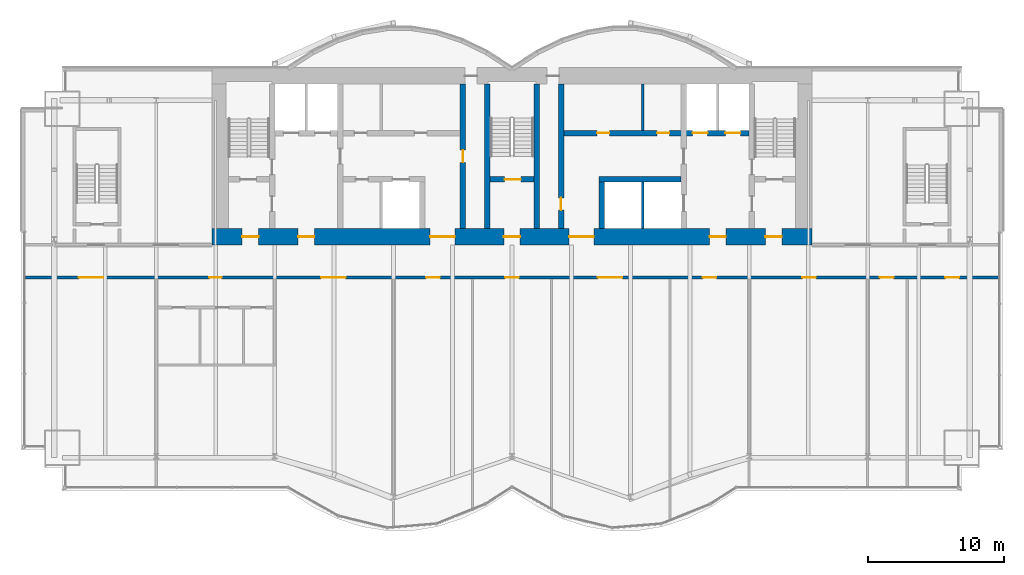
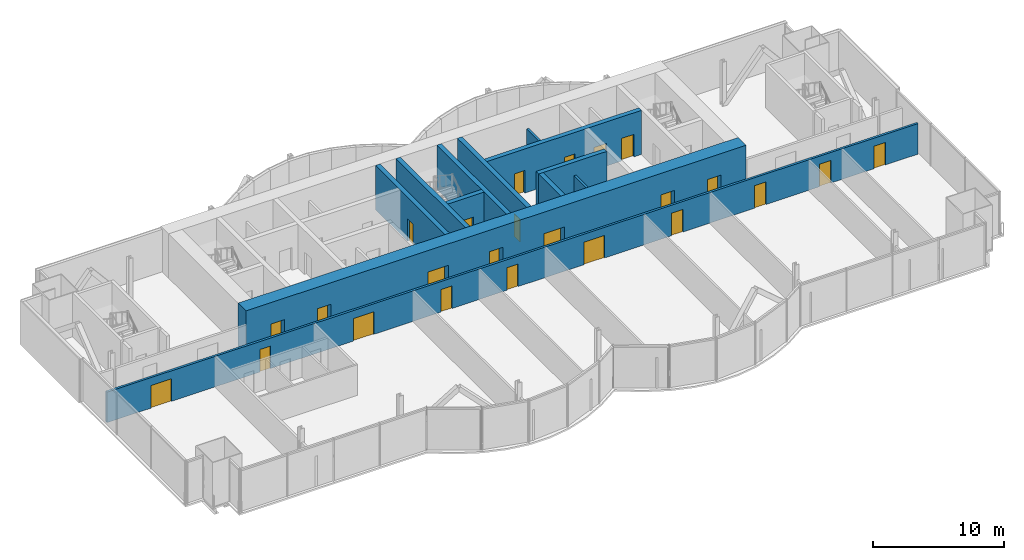
# One storey, part 15 of 20: 24 doors, 12 walls, 24 openings.
"""IFC4 building model written with IfcOpenShell, lengths in metres."""

import ifcopenshell
import ifcopenshell.guid

model = None  # the IFC model being written
_history = None  # IfcOwnerHistory: only IFC2X3 demands one
_inside = {}  # id of a spatial element -> (the spatial element, [elements in it])
_under = {}  # id of a project, library or spatial element -> (it, [spatial elements below it])
_declared = {}  # id of a project -> (the project, [libraries it declares])
_typed = {}  # id of a type object -> (the type object, [elements of that type])
_made_of = {}  # id of a material, layer set ... -> (it, [elements and type objects made of it])


def new_model(schema):
    """Start an empty IFC model of exactly this schema.

    Asked for "IFC4X3", IfcOpenShell would pick the latest addendum, in which some entities
    have other attributes; the version numbers below select the first issue.
    IFC2X3 requires an IfcOwnerHistory on every rooted entity: one is made here for all.
    """
    global model, _history
    if schema == "IFC4X3":
        model = ifcopenshell.file(schema_version=(4, 3, 0, 0))
    else:
        model = ifcopenshell.file(schema=schema)
    _inside.clear()
    _under.clear()
    _declared.clear()
    _typed.clear()
    _made_of.clear()
    _history = None
    if model.schema == "IFC2X3":
        org = make("IfcOrganization", Name="unknown")
        user = make(
            "IfcPersonAndOrganization",
            ThePerson=make("IfcPerson", FamilyName="unknown"),
            TheOrganization=org,
        )
        app = make(
            "IfcApplication",
            ApplicationDeveloper=org,
            Version="unknown",
            ApplicationFullName="unknown",
            ApplicationIdentifier="unknown",
        )
        _history = make(
            "IfcOwnerHistory",
            OwningUser=user,
            OwningApplication=app,
            ChangeAction="ADDED",
            CreationDate=0,
        )
    return model


def make(cls, **values):
    """One entity of the class cls with the attributes given. An attribute that is None is left unset."""
    return model.create_entity(
        cls, **{name: value for name, value in values.items() if value is not None}
    )


def rooted(cls, **values):
    """An entity with a GlobalId (a new one), such as an element, a storey or a relation."""
    return make(cls, GlobalId=ifcopenshell.guid.new(), OwnerHistory=_history, **values)


def si_unit(unit_type, name, prefix=None):
    """IfcSIUnit, for example si_unit("LENGTHUNIT", "METRE", prefix="MILLI")."""
    return make("IfcSIUnit", UnitType=unit_type, Prefix=prefix, Name=name)


def assignment(units):
    """IfcUnitAssignment: the units of a project."""
    return None if units is None else make("IfcUnitAssignment", Units=units)


def point(xyz):
    """IfcCartesianPoint."""
    return None if xyz is None else make("IfcCartesianPoint", Coordinates=xyz)


def direction(xyz):
    """IfcDirection."""
    return None if xyz is None else make("IfcDirection", DirectionRatios=xyz)


def frame(location, z_axis=None, x_axis=None):
    """IfcAxis2Placement3D, a coordinate frame: its origin and axes. An axis left out is left unset."""
    return make(
        "IfcAxis2Placement3D",
        Location=point(location),
        Axis=direction(z_axis),
        RefDirection=direction(x_axis),
    )


def frame_2d(location, x_axis=None):
    """IfcAxis2Placement2D, a coordinate frame in the plane: its origin and x axis."""
    return make(
        "IfcAxis2Placement2D", Location=point(location), RefDirection=direction(x_axis)
    )


def origin():
    """The frame at (0, 0, 0) with its axes left unset."""
    return frame((0.0, 0.0, 0.0))


def place(relative_to, where):
    """IfcLocalPlacement: puts the frame where relative to a parent placement (None: the world)."""
    return make(
        "IfcLocalPlacement", PlacementRelTo=relative_to, RelativePlacement=where
    )


def context(
    kind, dimensions, precision=None, world=None, true_north=None, identifier=None
):
    """IfcGeometricRepresentationContext, for example the 3D "Model" context."""
    return make(
        "IfcGeometricRepresentationContext",
        ContextIdentifier=identifier,
        ContextType=kind,
        CoordinateSpaceDimension=dimensions,
        Precision=precision,
        WorldCoordinateSystem=world,
        TrueNorth=true_north,
    )


def subcontext(parent, identifier, kind, view, scale=None):
    """IfcGeometricRepresentationSubContext, for example "Body" below "Model"."""
    return make(
        "IfcGeometricRepresentationSubContext",
        ContextIdentifier=identifier,
        ContextType=kind,
        ParentContext=parent,
        TargetScale=scale,
        TargetView=view,
    )


def project(units=None, contexts=None):
    """IfcProject with its units and contexts."""
    return rooted(
        "IfcProject",
        Name="project",
        RepresentationContexts=contexts,
        UnitsInContext=assignment(units),
    )


def spatial(cls, under=None, at=None, **own):
    """A site, building, storey or space (cls), placed at a placement, below another one or the project."""
    s = rooted(cls, ObjectPlacement=at, **own)
    if under is not None:
        _under.setdefault(under.id(), (under, []))[1].append(s)
    return s


def profile(cls, at=None, kind="AREA", **sizes):
    """A parametric profile (cls). Its sizes go by their IFC names, for example OverallWidth=200.0."""
    return make(cls, ProfileType=kind, Position=at, **sizes)


def rectangle(**sizes):
    """IfcRectangleProfileDef."""
    return profile("IfcRectangleProfileDef", **sizes)


def extrude(swept, where, along, depth):
    """IfcExtrudedAreaSolid: the profile swept, set in the frame where, extruded along a direction by depth."""
    return make(
        "IfcExtrudedAreaSolid",
        SweptArea=swept,
        Position=where,
        ExtrudedDirection=direction(along),
        Depth=depth,
    )


def shape(context_of_items, identifier, shape_type, items):
    """IfcShapeRepresentation: the items that make up one representation, for example the "Body"."""
    return make(
        "IfcShapeRepresentation",
        ContextOfItems=context_of_items,
        RepresentationIdentifier=identifier,
        RepresentationType=shape_type,
        Items=items,
    )


def material(Name=None, Category=None):
    """IfcMaterial."""
    return make("IfcMaterial", Name=Name, Category=Category)


def layer(
    of_material, thickness, ventilated=None, Name=None, Category=None, Priority=None
):
    """IfcMaterialLayer: one layer of a wall or slab, of a material (None: an air gap)."""
    return make(
        "IfcMaterialLayer",
        Material=of_material,
        LayerThickness=thickness,
        IsVentilated=ventilated,
        Name=Name,
        Category=Category,
        Priority=Priority,
    )


def layer_set(layers, Name=None):
    """IfcMaterialLayerSet."""
    return make("IfcMaterialLayerSet", MaterialLayers=layers, LayerSetName=Name)


def made_of(thing, what):
    """Note that an element or type object is made of a material, layer set ...; save() writes the relation."""
    if what is not None:
        _made_of.setdefault(what.id(), (what, []))[1].append(thing)
    return thing


def type_object(cls, material=None, **own):
    """A type object (cls), such as IfcWallType, which elements share."""
    return made_of(rooted(cls, **own), material)


def element(
    cls,
    number,
    at=None,
    inside=None,
    cuts=None,
    type_object=None,
    material=None,
    context=None,
    identifier="Body",
    shape_type=None,
    held_by="IfcProductDefinitionShape",
    body=None,
    shapes=None,
    **own,
):
    """One element of the class cls, such as IfcWall. Its Tag is "e" and its number.

    at: its placement. inside: the storey or other place that contains it. cuts: it is an
    opening in that element (IfcRelVoidsElement). A single representation is given by context,
    identifier, shape_type and body (its items); several are given by shapes. held_by: the class
    of the entity that holds the representations. save() writes the other relations.
    """
    e = rooted(cls, Tag="e%d" % number, ObjectPlacement=at, **own)
    if body is not None:
        shapes = [shape(context, identifier, shape_type, body)]
    if shapes is not None:
        e.Representation = make(held_by, Representations=shapes)
    if inside is not None:
        _inside.setdefault(inside.id(), (inside, []))[1].append(e)
    if cuts is not None:
        rooted(
            "IfcRelVoidsElement", RelatingBuildingElement=cuts, RelatedOpeningElement=e
        )
    if type_object is not None:
        _typed.setdefault(type_object.id(), (type_object, []))[1].append(e)
    return made_of(e, material)


def fill(opening, filler):
    """IfcRelFillsElement: the door or window that sits in an opening."""
    return rooted(
        "IfcRelFillsElement",
        RelatingOpeningElement=opening,
        RelatedBuildingElement=filler,
    )


def aggregate(whole, parts):
    """IfcRelAggregates: a whole, such as a stair, and the parts it consists of."""
    return rooted("IfcRelAggregates", RelatingObject=whole, RelatedObjects=parts)


def save(model, path):
    """Write the relations noted so far, then the file.

    IfcRelAggregates (storeys below a building ...), IfcRelContainedInSpatialStructure (elements
    in a storey), IfcRelDefinesByType, IfcRelAssociatesMaterial and IfcRelDeclares: one each for
    every whole, place, type object, material and project.
    """
    for whole, parts in _under.values():
        aggregate(whole, parts)
    for where, things in _inside.values():
        rooted(
            "IfcRelContainedInSpatialStructure",
            RelatedElements=things,
            RelatingStructure=where,
        )
    for kind, things in _typed.values():
        rooted("IfcRelDefinesByType", RelatedObjects=things, RelatingType=kind)
    for what, things in _made_of.values():
        rooted("IfcRelAssociatesMaterial", RelatedObjects=things, RelatingMaterial=what)
    for by, libraries in _declared.values():
        rooted("IfcRelDeclares", RelatingContext=by, RelatedDefinitions=libraries)
    model.write(path)


model = new_model("IFC4")

# Units and contexts
model_context = context("Model", 3, precision=1e-05, world=origin(), true_north=direction((0.0, 1.0)))
body_context = subcontext(model_context, "Body", "Model", "MODEL_VIEW")
ifc_project = project(units=[si_unit("LENGTHUNIT", "METRE"), si_unit("AREAUNIT", "SQUARE_METRE"), si_unit("VOLUMEUNIT", "CUBIC_METRE"), si_unit("PLANEANGLEUNIT", "RADIAN"), si_unit("MASSUNIT", "GRAM", prefix="KILO")], contexts=[model_context])

# Site, building, storey
site_placement = place(None, origin())
site = spatial("IfcSite", under=ifc_project, at=site_placement, CompositionType="ELEMENT")
building_placement = place(site_placement, origin())
building = spatial("IfcBuilding", under=site, at=building_placement, Name="Bicima Exchange Tower", CompositionType="ELEMENT")
storey_placement = place(building_placement, frame((0.0, 0.0, 227.800048828125)))
storey = spatial("IfcBuildingStorey", under=building, at=storey_placement, Name="L51", CompositionType="ELEMENT", Elevation=227.800048828125)

# Wall
ifc_material_1 = material(Name="Gypsum board partition")
ifc_layer_1 = layer(ifc_material_1, 0.199951171875)
ifc_layer_set_1 = layer_set([ifc_layer_1], Name="Gypsum board partition")
wall_type_1 = type_object("IfcWallType", Name="Fire-rated gypsum partition 200 EI120", PredefinedType="PARTITIONING", material=ifc_layer_set_1)
wall_1_placement = place(storey_placement, frame((9.60009765625, -11.800048828125, 0.0), z_axis=(0.0, 0.0, 1.0), x_axis=(0.0, 1.0, 0.0)))
element("IfcWall", 1, at=wall_1_placement, inside=storey, type_object=wall_type_1, Name="partition wall 19", PredefinedType="PARTITIONING", context=body_context, shape_type="SweptSolid", body=[
    extrude(rectangle(XDim=3.400146484375, YDim=0.199951171875, at=frame_2d((1.7001953125, 0.0))), origin(), (0.0, 0.0, 1.0), 2.84033203125),
])

# Wall, openings, doors
ifc_layer_2 = layer(ifc_material_1, 0.199951171875)
ifc_layer_set_2 = layer_set([ifc_layer_2], Name="Gypsum board partition")
wall_type_2 = type_object("IfcWallType", Name="Fire-rated gypsum partition 200 EI60", PredefinedType="PARTITIONING", material=ifc_layer_set_2)
wall_2_placement = place(storey_placement, frame((-35.679931640625, -15.39990234375, 0.0), z_axis=(0.0, 0.0, 1.0), x_axis=(1.0, 0.0, 0.0)))
wall_2 = element("IfcWall", 2, at=wall_2_placement, inside=storey, type_object=wall_type_2, Name="partition wall 3", PredefinedType="PARTITIONING", context=body_context, shape_type="SweptSolid", body=[
    extrude(rectangle(XDim=71.35986328125, YDim=0.199951171875, at=frame_2d((35.679931640625, 0.0))), origin(), (0.0, 0.0, 1.0), 2.84033203125),
])
opening_1_placement = place(wall_2_placement, frame((3.89990234375, 0.0, 0.0)))
opening_1 = element("IfcOpeningElement", 3, at=opening_1_placement, cuts=wall_2, Name="Opening L51-007", PredefinedType="OPENING", context=body_context, shape_type="SweptSolid", body=[
    extrude(rectangle(XDim=1.800048828125, YDim=2.10009765625, at=frame_2d((0.89990234375, 1.050048828125))), frame((0.0, 0.11181640625, 0.0), z_axis=(0.0, -1.0, 0.0), x_axis=(1.0, 0.0, 0.0)), (0.0, 0.0, 1.0), 0.223876953125),
])
opening_2_placement = place(wall_2_placement, frame((13.47998046875, 0.0, 0.0)))
opening_2 = element("IfcOpeningElement", 4, at=opening_2_placement, cuts=wall_2, Name="Opening L51-008", PredefinedType="OPENING", context=body_context, shape_type="SweptSolid", body=[
    extrude(rectangle(XDim=0.89990234375, YDim=2.10009765625, at=frame_2d((0.449951171875, 1.050048828125))), frame((0.0, 0.11181640625, 0.0), z_axis=(0.0, -1.0, 0.0), x_axis=(1.0, 0.0, 0.0)), (0.0, 0.0, 1.0), 0.223876953125),
])
opening_3_placement = place(wall_2_placement, frame((21.679931640625, 0.0, 0.0)))
opening_3 = element("IfcOpeningElement", 5, at=opening_3_placement, cuts=wall_2, Name="Opening L51-012", PredefinedType="OPENING", context=body_context, shape_type="SweptSolid", body=[
    extrude(rectangle(XDim=1.800048828125, YDim=2.10009765625, at=frame_2d((0.89990234375, 1.050048828125))), frame((0.0, 0.11181640625, 0.0), z_axis=(0.0, -1.0, 0.0), x_axis=(1.0, 0.0, 0.0)), (0.0, 0.0, 1.0), 0.223876953125),
])
opening_4_placement = place(wall_2_placement, frame((29.3798828125, 0.0, 0.0)))
opening_4 = element("IfcOpeningElement", 6, at=opening_4_placement, cuts=wall_2, Name="Opening L51-013", PredefinedType="OPENING", context=body_context, shape_type="SweptSolid", body=[
    extrude(rectangle(XDim=1.0, YDim=2.10009765625, at=frame_2d((0.5, 1.050048828125))), frame((0.0, 0.11181640625, 0.0), z_axis=(0.0, -1.0, 0.0), x_axis=(1.0, 0.0, 0.0)), (0.0, 0.0, 1.0), 0.223876953125),
])
opening_5_placement = place(wall_2_placement, frame((35.179931640625, 0.0, 0.0)))
opening_5 = element("IfcOpeningElement", 7, at=opening_5_placement, cuts=wall_2, Name="Opening L51-014", PredefinedType="OPENING", context=body_context, shape_type="SweptSolid", body=[
    extrude(rectangle(XDim=1.0, YDim=2.10009765625, at=frame_2d((0.5, 1.050048828125))), frame((0.0, 0.11181640625, 0.0), z_axis=(0.0, -1.0, 0.0), x_axis=(1.0, 0.0, 0.0)), (0.0, 0.0, 1.0), 0.223876953125),
])
opening_6_placement = place(wall_2_placement, frame((41.97998046875, 0.0, 0.0)))
opening_6 = element("IfcOpeningElement", 8, at=opening_6_placement, cuts=wall_2, Name="Opening L51-015", PredefinedType="OPENING", context=body_context, shape_type="SweptSolid", body=[
    extrude(rectangle(XDim=1.800048828125, YDim=2.10009765625, at=frame_2d((0.89990234375, 1.050048828125))), frame((0.0, 0.11181640625, 0.0), z_axis=(0.0, -1.0, 0.0), x_axis=(1.0, 0.0, 0.0)), (0.0, 0.0, 1.0), 0.223876953125),
])
opening_7_placement = place(wall_2_placement, frame((49.679931640625, 0.0, 0.0)))
opening_7 = element("IfcOpeningElement", 9, at=opening_7_placement, cuts=wall_2, Name="Opening L51-016", PredefinedType="OPENING", context=body_context, shape_type="SweptSolid", body=[
    extrude(rectangle(XDim=1.0, YDim=2.10009765625, at=frame_2d((0.5, 1.050048828125))), frame((0.0, 0.11181640625, 0.0), z_axis=(0.0, -1.0, 0.0), x_axis=(1.0, 0.0, 0.0)), (0.0, 0.0, 1.0), 0.223876953125),
])
opening_8_placement = place(wall_2_placement, frame((56.97998046875, 0.0, 0.0)))
opening_8 = element("IfcOpeningElement", 10, at=opening_8_placement, cuts=wall_2, Name="Opening L51-017", PredefinedType="OPENING", context=body_context, shape_type="SweptSolid", body=[
    extrude(rectangle(XDim=1.0, YDim=2.10009765625, at=frame_2d((0.5, 1.050048828125))), frame((0.0, 0.11181640625, 0.0), z_axis=(0.0, -1.0, 0.0), x_axis=(1.0, 0.0, 0.0)), (0.0, 0.0, 1.0), 0.223876953125),
])
opening_9_placement = place(wall_2_placement, frame((62.679931640625, 0.0, 0.0)))
opening_9 = element("IfcOpeningElement", 11, at=opening_9_placement, cuts=wall_2, Name="Opening L51-018", PredefinedType="OPENING", context=body_context, shape_type="SweptSolid", body=[
    extrude(rectangle(XDim=1.0, YDim=2.10009765625, at=frame_2d((0.5, 1.050048828125))), frame((0.0, 0.11181640625, 0.0), z_axis=(0.0, -1.0, 0.0), x_axis=(1.0, 0.0, 0.0)), (0.0, 0.0, 1.0), 0.223876953125),
])
opening_10_placement = place(wall_2_placement, frame((67.47998046875, 0.0, 0.0)))
opening_10 = element("IfcOpeningElement", 12, at=opening_10_placement, cuts=wall_2, Name="Opening L51-019", PredefinedType="OPENING", context=body_context, shape_type="SweptSolid", body=[
    extrude(rectangle(XDim=1.0, YDim=2.10009765625, at=frame_2d((0.5, 1.050048828125))), frame((0.0, 0.11181640625, 0.0), z_axis=(0.0, -1.0, 0.0), x_axis=(1.0, 0.0, 0.0)), (0.0, 0.0, 1.0), 0.223876953125),
])
ifc_material_2 = material(Name="Steel fire door leaf", Category="steel")
door_type_1 = type_object("IfcDoorType", Name="Door 1000 swing FD30S", OperationType="SINGLE_SWING_LEFT", PredefinedType="DOOR", material=ifc_material_2)
door_1_placement = place(opening_4_placement, frame((1.0, 0.0, 0.0), z_axis=(0.0, 0.0, 1.0), x_axis=(-1.0, 0.0, 0.0)))
door_1 = element("IfcDoor", 13, at=door_1_placement, inside=storey, type_object=door_type_1, Name="Door", OperationType="SINGLE_SWING_LEFT", OverallHeight=2.10009765625, OverallWidth=1.0, PredefinedType="DOOR", context=body_context, shape_type="SweptSolid", body=[
    extrude(rectangle(XDim=1.0, YDim=2.10009765625, at=frame_2d((0.5, 1.050048828125))), frame((0.0, 0.02490234375, 0.0), z_axis=(0.0, -1.0, 0.0), x_axis=(1.0, 0.0, 0.0)), (0.0, 0.0, 1.0), 0.050048828125),
])
fill(opening_4, door_1)
door_2_placement = place(opening_5_placement, frame((1.0, 0.0, 0.0), z_axis=(0.0, 0.0, 1.0), x_axis=(-1.0, 0.0, 0.0)))
door_2 = element("IfcDoor", 14, at=door_2_placement, inside=storey, type_object=door_type_1, Name="Door", OperationType="SINGLE_SWING_RIGHT", OverallHeight=2.10009765625, OverallWidth=1.0, PredefinedType="DOOR", context=body_context, shape_type="SweptSolid", body=[
    extrude(rectangle(XDim=1.0, YDim=2.10009765625, at=frame_2d((0.5, 1.050048828125))), frame((0.0, 0.02490234375, 0.0), z_axis=(0.0, -1.0, 0.0), x_axis=(1.0, 0.0, 0.0)), (0.0, 0.0, 1.0), 0.050048828125),
])
fill(opening_5, door_2)
door_3_placement = place(opening_7_placement, frame((1.0, 0.0, 0.0), z_axis=(0.0, 0.0, 1.0), x_axis=(-1.0, 0.0, 0.0)))
door_3 = element("IfcDoor", 15, at=door_3_placement, inside=storey, type_object=door_type_1, Name="Door", OperationType="SINGLE_SWING_LEFT", OverallHeight=2.10009765625, OverallWidth=1.0, PredefinedType="DOOR", context=body_context, shape_type="SweptSolid", body=[
    extrude(rectangle(XDim=1.0, YDim=2.10009765625, at=frame_2d((0.5, 1.050048828125))), frame((0.0, 0.02490234375, 0.0), z_axis=(0.0, -1.0, 0.0), x_axis=(1.0, 0.0, 0.0)), (0.0, 0.0, 1.0), 0.050048828125),
])
fill(opening_7, door_3)
door_4_placement = place(opening_8_placement, frame((1.0, 0.0, 0.0), z_axis=(0.0, 0.0, 1.0), x_axis=(-1.0, 0.0, 0.0)))
door_4 = element("IfcDoor", 16, at=door_4_placement, inside=storey, type_object=door_type_1, Name="Door", OperationType="SINGLE_SWING_RIGHT", OverallHeight=2.10009765625, OverallWidth=1.0, PredefinedType="DOOR", context=body_context, shape_type="SweptSolid", body=[
    extrude(rectangle(XDim=1.0, YDim=2.10009765625, at=frame_2d((0.5, 1.050048828125))), frame((0.0, 0.02490234375, 0.0), z_axis=(0.0, -1.0, 0.0), x_axis=(1.0, 0.0, 0.0)), (0.0, 0.0, 1.0), 0.050048828125),
])
fill(opening_8, door_4)
door_5_placement = place(opening_9_placement, frame((1.0, 0.0, 0.0), z_axis=(0.0, 0.0, 1.0), x_axis=(-1.0, 0.0, 0.0)))
door_5 = element("IfcDoor", 17, at=door_5_placement, inside=storey, type_object=door_type_1, Name="Door", OperationType="SINGLE_SWING_RIGHT", OverallHeight=2.10009765625, OverallWidth=1.0, PredefinedType="DOOR", context=body_context, shape_type="SweptSolid", body=[
    extrude(rectangle(XDim=1.0, YDim=2.10009765625, at=frame_2d((0.5, 1.050048828125))), frame((0.0, 0.02490234375, 0.0), z_axis=(0.0, -1.0, 0.0), x_axis=(1.0, 0.0, 0.0)), (0.0, 0.0, 1.0), 0.050048828125),
])
fill(opening_9, door_5)
door_6_placement = place(opening_10_placement, frame((1.0, 0.0, 0.0), z_axis=(0.0, 0.0, 1.0), x_axis=(-1.0, 0.0, 0.0)))
door_6 = element("IfcDoor", 18, at=door_6_placement, inside=storey, type_object=door_type_1, Name="Door", OperationType="SINGLE_SWING_LEFT", OverallHeight=2.10009765625, OverallWidth=1.0, PredefinedType="DOOR", context=body_context, shape_type="SweptSolid", body=[
    extrude(rectangle(XDim=1.0, YDim=2.10009765625, at=frame_2d((0.5, 1.050048828125))), frame((0.0, 0.02490234375, 0.0), z_axis=(0.0, -1.0, 0.0), x_axis=(1.0, 0.0, 0.0)), (0.0, 0.0, 1.0), 0.050048828125),
])
fill(opening_10, door_6)
door_type_2 = type_object("IfcDoorType", Name="Door 1800 double swing FD30S", OperationType="DOUBLE_DOOR_SINGLE_SWING", PredefinedType="DOOR", material=ifc_material_2)
door_7_placement = place(opening_1_placement, origin())
door_7 = element("IfcDoor", 19, at=door_7_placement, inside=storey, type_object=door_type_2, Name="Door", OperationType="SINGLE_SWING_LEFT", OverallHeight=2.10009765625, OverallWidth=1.800048828125, PredefinedType="DOOR", context=body_context, shape_type="SweptSolid", body=[
    extrude(rectangle(XDim=1.800048828125, YDim=2.10009765625, at=frame_2d((0.89990234375, 1.050048828125))), frame((0.0, 0.02490234375, 0.0), z_axis=(0.0, -1.0, 0.0), x_axis=(1.0, 0.0, 0.0)), (0.0, 0.0, 1.0), 0.050048828125),
])
fill(opening_1, door_7)
door_8_placement = place(opening_3_placement, origin())
door_8 = element("IfcDoor", 20, at=door_8_placement, inside=storey, type_object=door_type_2, Name="Door", OperationType="SINGLE_SWING_LEFT", OverallHeight=2.10009765625, OverallWidth=1.800048828125, PredefinedType="DOOR", context=body_context, shape_type="SweptSolid", body=[
    extrude(rectangle(XDim=1.800048828125, YDim=2.10009765625, at=frame_2d((0.89990234375, 1.050048828125))), frame((0.0, 0.02490234375, 0.0), z_axis=(0.0, -1.0, 0.0), x_axis=(1.0, 0.0, 0.0)), (0.0, 0.0, 1.0), 0.050048828125),
])
fill(opening_3, door_8)
door_9_placement = place(opening_6_placement, origin())
door_9 = element("IfcDoor", 21, at=door_9_placement, inside=storey, type_object=door_type_2, Name="Door", OperationType="SINGLE_SWING_LEFT", OverallHeight=2.10009765625, OverallWidth=1.800048828125, PredefinedType="DOOR", context=body_context, shape_type="SweptSolid", body=[
    extrude(rectangle(XDim=1.800048828125, YDim=2.10009765625, at=frame_2d((0.89990234375, 1.050048828125))), frame((0.0, 0.02490234375, 0.0), z_axis=(0.0, -1.0, 0.0), x_axis=(1.0, 0.0, 0.0)), (0.0, 0.0, 1.0), 0.050048828125),
])
fill(opening_6, door_9)
door_type_3 = type_object("IfcDoorType", Name="Door 900 swing FD30S", OperationType="SINGLE_SWING_LEFT", PredefinedType="DOOR", material=ifc_material_2)
door_10_placement = place(opening_2_placement, frame((0.89990234375, 0.0, 0.0), z_axis=(0.0, 0.0, 1.0), x_axis=(-1.0, 0.0, 0.0)))
door_10 = element("IfcDoor", 22, at=door_10_placement, inside=storey, type_object=door_type_3, Name="Door", OperationType="SINGLE_SWING_RIGHT", OverallHeight=2.10009765625, OverallWidth=0.89990234375, PredefinedType="DOOR", context=body_context, shape_type="SweptSolid", body=[
    extrude(rectangle(XDim=0.89990234375, YDim=2.10009765625, at=frame_2d((0.449951171875, 1.050048828125))), frame((0.0, 0.02490234375, 0.0), z_axis=(0.0, -1.0, 0.0), x_axis=(1.0, 0.0, 0.0)), (0.0, 0.0, 1.0), 0.050048828125),
])
fill(opening_2, door_10)

# Wall
wall_3_placement = place(storey_placement, frame((9.60009765625, -4.60009765625, 0.0), z_axis=(0.0, 0.0, 1.0), x_axis=(0.0, 1.0, 0.0)))
element("IfcWall", 23, at=wall_3_placement, inside=storey, type_object=wall_type_2, Name="partition wall 20", PredefinedType="PARTITIONING", context=body_context, shape_type="SweptSolid", body=[
    extrude(rectangle(XDim=3.400146484375, YDim=0.199951171875, at=frame_2d((1.7001953125, 0.0))), origin(), (0.0, 0.0, 1.0), 2.84033203125),
])

# Wall, openings, doors
ifc_material_3 = material(Name="Concrete C50/60", Category="concrete")
ifc_layer_3 = layer(ifc_material_3, 1.199951171875)
ifc_layer_set_3 = layer_set([ifc_layer_3], Name="Concrete C50/60")
wall_type_3 = type_object("IfcWallType", Name="RC core wall 1200 C50/60", PredefinedType="SHEAR", material=ifc_layer_set_3)
wall_4_placement = place(storey_placement, frame((-22.0, -12.39990234375, 0.0), z_axis=(0.0, 0.0, 1.0), x_axis=(1.0, 0.0, 0.0)))
wall_4 = element("IfcWall", 24, at=wall_4_placement, inside=storey, type_object=wall_type_3, Name="Core wall south", PredefinedType="SHEAR", context=body_context, shape_type="SweptSolid", body=[
    extrude(rectangle(XDim=44.0, YDim=1.199951171875, at=frame_2d((22.0, 0.0))), origin(), (0.0, 0.0, 1.0), 4.099853515625),
])
opening_11_placement = place(wall_4_placement, frame((2.199951171875, 0.0, 0.0)))
opening_11 = element("IfcOpeningElement", 25, at=opening_11_placement, cuts=wall_4, Name="Opening L51-C19", PredefinedType="OPENING", context=body_context, shape_type="SweptSolid", body=[
    extrude(rectangle(XDim=1.199951171875, YDim=2.10009765625, at=frame_2d((0.60009765625, 1.050048828125))), frame((0.0, 0.61181640625, 0.0), z_axis=(0.0, -1.0, 0.0), x_axis=(1.0, 0.0, 0.0)), (0.0, 0.0, 1.0), 1.223876953125),
])
opening_12_placement = place(wall_4_placement, frame((21.39990234375, 0.0, 0.0)))
opening_12 = element("IfcOpeningElement", 26, at=opening_12_placement, cuts=wall_4, Name="Opening L51-C20", PredefinedType="OPENING", context=body_context, shape_type="SweptSolid", body=[
    extrude(rectangle(XDim=1.199951171875, YDim=2.10009765625, at=frame_2d((0.60009765625, 1.050048828125))), frame((0.0, 0.61181640625, 0.0), z_axis=(0.0, -1.0, 0.0), x_axis=(1.0, 0.0, 0.0)), (0.0, 0.0, 1.0), 1.223876953125),
])
opening_13_placement = place(wall_4_placement, frame((40.60009765625, 0.0, 0.0)))
opening_13 = element("IfcOpeningElement", 27, at=opening_13_placement, cuts=wall_4, Name="Opening L51-C21", PredefinedType="OPENING", context=body_context, shape_type="SweptSolid", body=[
    extrude(rectangle(XDim=1.199951171875, YDim=2.10009765625, at=frame_2d((0.60009765625, 1.050048828125))), frame((0.0, 0.61181640625, 0.0), z_axis=(0.0, -1.0, 0.0), x_axis=(1.0, 0.0, 0.0)), (0.0, 0.0, 1.0), 1.223876953125),
])
opening_14_placement = place(wall_4_placement, frame((16.0, 0.0, 0.0)))
opening_14 = element("IfcOpeningElement", 28, at=opening_14_placement, cuts=wall_4, Name="Opening L51-C22", PredefinedType="OPENING", context=body_context, shape_type="SweptSolid", body=[
    extrude(rectangle(XDim=1.800048828125, YDim=2.10009765625, at=frame_2d((0.89990234375, 1.050048828125))), frame((0.0, 0.61181640625, 0.0), z_axis=(0.0, -1.0, 0.0), x_axis=(1.0, 0.0, 0.0)), (0.0, 0.0, 1.0), 1.223876953125),
])
opening_15_placement = place(wall_4_placement, frame((6.300048828125, 0.0, 0.0)))
opening_15 = element("IfcOpeningElement", 29, at=opening_15_placement, cuts=wall_4, Name="Opening L51-C23", PredefinedType="OPENING", context=body_context, shape_type="SweptSolid", body=[
    extrude(rectangle(XDim=1.199951171875, YDim=2.10009765625, at=frame_2d((0.60009765625, 1.050048828125))), frame((0.0, 0.61181640625, 0.0), z_axis=(0.0, -1.0, 0.0), x_axis=(1.0, 0.0, 0.0)), (0.0, 0.0, 1.0), 1.223876953125),
])
opening_16_placement = place(wall_4_placement, frame((26.199951171875, 0.0, 0.0)))
opening_16 = element("IfcOpeningElement", 30, at=opening_16_placement, cuts=wall_4, Name="Opening L51-C24", PredefinedType="OPENING", context=body_context, shape_type="SweptSolid", body=[
    extrude(rectangle(XDim=1.800048828125, YDim=2.10009765625, at=frame_2d((0.89990234375, 1.050048828125))), frame((0.0, 0.61181640625, 0.0), z_axis=(0.0, -1.0, 0.0), x_axis=(1.0, 0.0, 0.0)), (0.0, 0.0, 1.0), 1.223876953125),
])
opening_17_placement = place(wall_4_placement, frame((36.5, 0.0, 0.0)))
opening_17 = element("IfcOpeningElement", 31, at=opening_17_placement, cuts=wall_4, Name="Opening L51-C25", PredefinedType="OPENING", context=body_context, shape_type="SweptSolid", body=[
    extrude(rectangle(XDim=1.199951171875, YDim=2.10009765625, at=frame_2d((0.60009765625, 1.050048828125))), frame((0.0, 0.61181640625, 0.0), z_axis=(0.0, -1.0, 0.0), x_axis=(1.0, 0.0, 0.0)), (0.0, 0.0, 1.0), 1.223876953125),
])
door_type_4 = type_object("IfcDoorType", Name="Door 1200 swing FD60S", OperationType="SINGLE_SWING_LEFT", PredefinedType="DOOR", material=ifc_material_2)
door_11_placement = place(opening_11_placement, frame((1.199951171875, 0.0, 0.0), z_axis=(0.0, 0.0, 1.0), x_axis=(-1.0, 0.0, 0.0)))
door_11 = element("IfcDoor", 32, at=door_11_placement, inside=storey, type_object=door_type_4, Name="Core door", OperationType="SINGLE_SWING_RIGHT", OverallHeight=2.10009765625, OverallWidth=1.199951171875, PredefinedType="DOOR", context=body_context, shape_type="SweptSolid", body=[
    extrude(rectangle(XDim=1.199951171875, YDim=2.10009765625, at=frame_2d((0.60009765625, 1.050048828125))), frame((0.0, 0.02490234375, 0.0), z_axis=(0.0, -1.0, 0.0), x_axis=(1.0, 0.0, 0.0)), (0.0, 0.0, 1.0), 0.050048828125),
])
fill(opening_11, door_11)
door_12_placement = place(opening_12_placement, frame((1.199951171875, 0.0, 0.0), z_axis=(0.0, 0.0, 1.0), x_axis=(-1.0, 0.0, 0.0)))
door_12 = element("IfcDoor", 33, at=door_12_placement, inside=storey, type_object=door_type_4, Name="Core door", OperationType="SINGLE_SWING_RIGHT", OverallHeight=2.10009765625, OverallWidth=1.199951171875, PredefinedType="DOOR", context=body_context, shape_type="SweptSolid", body=[
    extrude(rectangle(XDim=1.199951171875, YDim=2.10009765625, at=frame_2d((0.60009765625, 1.050048828125))), frame((0.0, 0.02490234375, 0.0), z_axis=(0.0, -1.0, 0.0), x_axis=(1.0, 0.0, 0.0)), (0.0, 0.0, 1.0), 0.050048828125),
])
fill(opening_12, door_12)
door_13_placement = place(opening_13_placement, frame((1.199951171875, 0.0, 0.0), z_axis=(0.0, 0.0, 1.0), x_axis=(-1.0, 0.0, 0.0)))
door_13 = element("IfcDoor", 34, at=door_13_placement, inside=storey, type_object=door_type_4, Name="Core door", OperationType="SINGLE_SWING_RIGHT", OverallHeight=2.10009765625, OverallWidth=1.199951171875, PredefinedType="DOOR", context=body_context, shape_type="SweptSolid", body=[
    extrude(rectangle(XDim=1.199951171875, YDim=2.10009765625, at=frame_2d((0.60009765625, 1.050048828125))), frame((0.0, 0.02490234375, 0.0), z_axis=(0.0, -1.0, 0.0), x_axis=(1.0, 0.0, 0.0)), (0.0, 0.0, 1.0), 0.050048828125),
])
fill(opening_13, door_13)
door_14_placement = place(opening_15_placement, frame((1.199951171875, 0.0, 0.0), z_axis=(0.0, 0.0, 1.0), x_axis=(-1.0, 0.0, 0.0)))
door_14 = element("IfcDoor", 35, at=door_14_placement, inside=storey, type_object=door_type_4, Name="Core door", OperationType="SINGLE_SWING_RIGHT", OverallHeight=2.10009765625, OverallWidth=1.199951171875, PredefinedType="DOOR", context=body_context, shape_type="SweptSolid", body=[
    extrude(rectangle(XDim=1.199951171875, YDim=2.10009765625, at=frame_2d((0.60009765625, 1.050048828125))), frame((0.0, 0.02490234375, 0.0), z_axis=(0.0, -1.0, 0.0), x_axis=(1.0, 0.0, 0.0)), (0.0, 0.0, 1.0), 0.050048828125),
])
fill(opening_15, door_14)
door_15_placement = place(opening_17_placement, frame((1.199951171875, 0.0, 0.0), z_axis=(0.0, 0.0, 1.0), x_axis=(-1.0, 0.0, 0.0)))
door_15 = element("IfcDoor", 36, at=door_15_placement, inside=storey, type_object=door_type_4, Name="Core door", OperationType="SINGLE_SWING_RIGHT", OverallHeight=2.10009765625, OverallWidth=1.199951171875, PredefinedType="DOOR", context=body_context, shape_type="SweptSolid", body=[
    extrude(rectangle(XDim=1.199951171875, YDim=2.10009765625, at=frame_2d((0.60009765625, 1.050048828125))), frame((0.0, 0.02490234375, 0.0), z_axis=(0.0, -1.0, 0.0), x_axis=(1.0, 0.0, 0.0)), (0.0, 0.0, 1.0), 0.050048828125),
])
fill(opening_17, door_15)
door_16_placement = place(opening_14_placement, origin())
door_16 = element("IfcDoor", 37, at=door_16_placement, inside=storey, type_object=door_type_2, Name="Core door", OperationType="SINGLE_SWING_LEFT", OverallHeight=2.10009765625, OverallWidth=1.800048828125, PredefinedType="DOOR", context=body_context, shape_type="SweptSolid", body=[
    extrude(rectangle(XDim=1.800048828125, YDim=2.10009765625, at=frame_2d((0.89990234375, 1.050048828125))), frame((0.0, 0.02490234375, 0.0), z_axis=(0.0, -1.0, 0.0), x_axis=(1.0, 0.0, 0.0)), (0.0, 0.0, 1.0), 0.050048828125),
])
fill(opening_14, door_16)
door_17_placement = place(opening_16_placement, origin())
door_17 = element("IfcDoor", 38, at=door_17_placement, inside=storey, type_object=door_type_2, Name="Core door", OperationType="SINGLE_SWING_LEFT", OverallHeight=2.10009765625, OverallWidth=1.800048828125, PredefinedType="DOOR", context=body_context, shape_type="SweptSolid", body=[
    extrude(rectangle(XDim=1.800048828125, YDim=2.10009765625, at=frame_2d((0.89990234375, 1.050048828125))), frame((0.0, 0.02490234375, 0.0), z_axis=(0.0, -1.0, 0.0), x_axis=(1.0, 0.0, 0.0)), (0.0, 0.0, 1.0), 0.050048828125),
])
fill(opening_16, door_17)

# Wall, opening, door
ifc_layer_4 = layer(ifc_material_3, 0.39990234375)
ifc_layer_set_4 = layer_set([ifc_layer_4], Name="Concrete C50/60")
wall_type_4 = type_object("IfcWallType", Name="RC core wall 400 C50/60", PredefinedType="SHEAR", material=ifc_layer_set_4)
wall_5_placement = place(storey_placement, frame((-1.60009765625, -8.199951171875, 0.0), z_axis=(0.0, 0.0, 1.0), x_axis=(1.0, 0.0, 0.0)))
wall_5 = element("IfcWall", 39, at=wall_5_placement, inside=storey, type_object=wall_type_4, Name="stair wall 3", PredefinedType="SHEAR", context=body_context, shape_type="SweptSolid", body=[
    extrude(rectangle(XDim=3.2001953125, YDim=0.39990234375, at=frame_2d((1.60009765625, 0.0))), origin(), (0.0, 0.0, 1.0), 4.099853515625),
])
opening_18_placement = place(wall_5_placement, frame((1.050048828125, 0.0, 0.0)))
opening_18 = element("IfcOpeningElement", 40, at=opening_18_placement, cuts=wall_5, Name="Opening L51-C03", PredefinedType="OPENING", context=body_context, shape_type="SweptSolid", body=[
    extrude(rectangle(XDim=1.199951171875, YDim=2.10009765625, at=frame_2d((0.60009765625, 1.050048828125))), frame((0.0, 0.2119140625, 0.0), z_axis=(0.0, -1.0, 0.0), x_axis=(1.0, 0.0, 0.0)), (0.0, 0.0, 1.0), 0.423828125),
])
door_18_placement = place(opening_18_placement, origin())
door_18 = element("IfcDoor", 41, at=door_18_placement, inside=storey, type_object=door_type_4, Name="Core door", OperationType="SINGLE_SWING_LEFT", OverallHeight=2.10009765625, OverallWidth=1.199951171875, PredefinedType="DOOR", context=body_context, shape_type="SweptSolid", body=[
    extrude(rectangle(XDim=1.199951171875, YDim=2.10009765625, at=frame_2d((0.60009765625, 1.050048828125))), frame((0.0, 0.02490234375, 0.0), z_axis=(0.0, -1.0, 0.0), x_axis=(1.0, 0.0, 0.0)), (0.0, 0.0, 1.0), 0.050048828125),
])
fill(opening_18, door_18)

# Wall
wall_6_placement = place(storey_placement, frame((6.39990234375, -8.199951171875, 0.0), z_axis=(0.0, 0.0, 1.0), x_axis=(1.0, 0.0, 0.0)))
element("IfcWall", 42, at=wall_6_placement, inside=storey, type_object=wall_type_4, Name="shear wall 4", PredefinedType="SHEAR", context=body_context, shape_type="SweptSolid", body=[
    extrude(rectangle(XDim=6.0, YDim=0.39990234375, at=frame_2d((3.0, 0.0))), origin(), (0.0, 0.0, 1.0), 4.099853515625),
])

# Wall, openings, doors
wall_7_placement = place(storey_placement, frame((3.800048828125, -4.800048828125, 0.0), z_axis=(0.0, 0.0, 1.0), x_axis=(1.0, 0.0, 0.0)))
wall_7 = element("IfcWall", 43, at=wall_7_placement, inside=storey, type_object=wall_type_4, Name="shear wall 7", PredefinedType="SHEAR", context=body_context, shape_type="SweptSolid", body=[
    extrude(rectangle(XDim=13.599853515625, YDim=0.39990234375, at=frame_2d((6.7998046875, 0.0))), origin(), (0.0, 0.0, 1.0), 4.099853515625),
])
opening_19_placement = place(wall_7_placement, frame((9.449951171875, 0.0, 0.0)))
opening_19 = element("IfcOpeningElement", 44, at=opening_19_placement, cuts=wall_7, Name="Opening LD-FF2-L51", PredefinedType="OPENING", context=body_context, shape_type="SweptSolid", body=[
    extrude(rectangle(XDim=1.10009765625, YDim=2.10009765625, at=frame_2d((0.550048828125, 1.050048828125))), frame((0.0, 0.2119140625, 0.0), z_axis=(0.0, -1.0, 0.0), x_axis=(1.0, 0.0, 0.0)), (0.0, 0.0, 1.0), 0.423828125),
])
opening_20_placement = place(wall_7_placement, frame((11.85009765625, 0.0, 0.0)))
opening_20 = element("IfcOpeningElement", 45, at=opening_20_placement, cuts=wall_7, Name="Opening LD-SV1-L51", PredefinedType="OPENING", context=body_context, shape_type="SweptSolid", body=[
    extrude(rectangle(XDim=1.10009765625, YDim=2.10009765625, at=frame_2d((0.550048828125, 1.050048828125))), frame((0.0, 0.2119140625, 0.0), z_axis=(0.0, -1.0, 0.0), x_axis=(1.0, 0.0, 0.0)), (0.0, 0.0, 1.0), 0.423828125),
])
opening_21_placement = place(wall_7_placement, frame((2.449951171875, 0.0, 0.0)))
opening_21 = element("IfcOpeningElement", 46, at=opening_21_placement, cuts=wall_7, Name="Opening L51-C14", PredefinedType="OPENING", context=body_context, shape_type="SweptSolid", body=[
    extrude(rectangle(XDim=0.89990234375, YDim=2.10009765625, at=frame_2d((0.449951171875, 1.050048828125))), frame((0.0, 0.2119140625, 0.0), z_axis=(0.0, -1.0, 0.0), x_axis=(1.0, 0.0, 0.0)), (0.0, 0.0, 1.0), 0.423828125),
])
opening_22_placement = place(wall_7_placement, frame((6.85009765625, 0.0, 0.0)))
opening_22 = element("IfcOpeningElement", 47, at=opening_22_placement, cuts=wall_7, Name="Opening L51-C15", PredefinedType="OPENING", context=body_context, shape_type="SweptSolid", body=[
    extrude(rectangle(XDim=0.89990234375, YDim=2.10009765625, at=frame_2d((0.449951171875, 1.050048828125))), frame((0.0, 0.2119140625, 0.0), z_axis=(0.0, -1.0, 0.0), x_axis=(1.0, 0.0, 0.0)), (0.0, 0.0, 1.0), 0.423828125),
])
door_19_placement = place(opening_21_placement, origin())
door_19 = element("IfcDoor", 48, at=door_19_placement, inside=storey, type_object=door_type_3, Name="Core door", OperationType="SINGLE_SWING_RIGHT", OverallHeight=2.10009765625, OverallWidth=0.89990234375, PredefinedType="DOOR", context=body_context, shape_type="SweptSolid", body=[
    extrude(rectangle(XDim=0.89990234375, YDim=2.10009765625, at=frame_2d((0.449951171875, 1.050048828125))), frame((0.0, 0.02490234375, 0.0), z_axis=(0.0, -1.0, 0.0), x_axis=(1.0, 0.0, 0.0)), (0.0, 0.0, 1.0), 0.050048828125),
])
fill(opening_21, door_19)
door_20_placement = place(opening_22_placement, origin())
door_20 = element("IfcDoor", 49, at=door_20_placement, inside=storey, type_object=door_type_3, Name="Core door", OperationType="SINGLE_SWING_LEFT", OverallHeight=2.10009765625, OverallWidth=0.89990234375, PredefinedType="DOOR", context=body_context, shape_type="SweptSolid", body=[
    extrude(rectangle(XDim=0.89990234375, YDim=2.10009765625, at=frame_2d((0.449951171875, 1.050048828125))), frame((0.0, 0.02490234375, 0.0), z_axis=(0.0, -1.0, 0.0), x_axis=(1.0, 0.0, 0.0)), (0.0, 0.0, 1.0), 0.050048828125),
])
fill(opening_22, door_20)
ifc_material_4 = material(Name="Stainless steel", Category="steel")
door_type_5 = type_object("IfcDoorType", Name="Lift landing door 1100 sliding", OperationType="DOUBLE_DOOR_SLIDING", PredefinedType="DOOR", material=ifc_material_4)
door_21_placement = place(opening_19_placement, origin())
door_21 = element("IfcDoor", 50, at=door_21_placement, inside=storey, type_object=door_type_5, Name="Lift landing door FF2", OperationType="DOUBLE_DOOR_SLIDING", OverallHeight=2.10009765625, OverallWidth=1.10009765625, PredefinedType="DOOR", context=body_context, shape_type="SweptSolid", body=[
    extrude(rectangle(XDim=1.10009765625, YDim=2.10009765625, at=frame_2d((0.550048828125, 1.050048828125))), frame((0.0, 0.02490234375, 0.0), z_axis=(0.0, -1.0, 0.0), x_axis=(1.0, 0.0, 0.0)), (0.0, 0.0, 1.0), 0.050048828125),
])
fill(opening_19, door_21)
door_22_placement = place(opening_20_placement, origin())
door_22 = element("IfcDoor", 51, at=door_22_placement, inside=storey, type_object=door_type_5, Name="Lift landing door SV1", OperationType="DOUBLE_DOOR_SLIDING", OverallHeight=2.10009765625, OverallWidth=1.10009765625, PredefinedType="DOOR", context=body_context, shape_type="SweptSolid", body=[
    extrude(rectangle(XDim=1.10009765625, YDim=2.10009765625, at=frame_2d((0.550048828125, 1.050048828125))), frame((0.0, 0.02490234375, 0.0), z_axis=(0.0, -1.0, 0.0), x_axis=(1.0, 0.0, 0.0)), (0.0, 0.0, 1.0), 0.050048828125),
])
fill(opening_20, door_22)

# Wall, opening, door
wall_8_placement = place(storey_placement, frame((-3.60009765625, -11.800048828125, 0.0), z_axis=(0.0, 0.0, 1.0), x_axis=(0.0, 1.0, 0.0)))
wall_8 = element("IfcWall", 52, at=wall_8_placement, inside=storey, type_object=wall_type_4, Name="shear wall 14", PredefinedType="SHEAR", context=body_context, shape_type="SweptSolid", body=[
    extrude(rectangle(XDim=10.60009765625, YDim=0.39990234375, at=frame_2d((5.300048828125, 0.0))), origin(), (0.0, 0.0, 1.0), 4.099853515625),
])
opening_23_placement = place(wall_8_placement, frame((4.85009765625, 0.0, 0.0)))
opening_23 = element("IfcOpeningElement", 53, at=opening_23_placement, cuts=wall_8, Name="Opening L51-C10", PredefinedType="OPENING", context=body_context, shape_type="SweptSolid", body=[
    extrude(rectangle(XDim=0.89990234375, YDim=2.10009765625, at=frame_2d((0.449951171875, 1.050048828125))), frame((0.0, 0.2119140625, 0.0), z_axis=(0.0, -1.0, 0.0), x_axis=(1.0, 0.0, 0.0)), (0.0, 0.0, 1.0), 0.423828125),
])
door_23_placement = place(opening_23_placement, frame((0.89990234375, 0.0, 0.0), z_axis=(0.0, 0.0, 1.0), x_axis=(-1.0, 0.0, 0.0)))
door_23 = element("IfcDoor", 54, at=door_23_placement, inside=storey, type_object=door_type_3, Name="Core door", OperationType="SINGLE_SWING_LEFT", OverallHeight=2.10009765625, OverallWidth=0.89990234375, PredefinedType="DOOR", context=body_context, shape_type="SweptSolid", body=[
    extrude(rectangle(XDim=0.89990234375, YDim=2.10009765625, at=frame_2d((0.449951171875, 1.050048828125))), frame((0.0, 0.02490234375, 0.0), z_axis=(0.0, -1.0, 0.0), x_axis=(1.0, 0.0, 0.0)), (0.0, 0.0, 1.0), 0.050048828125),
])
fill(opening_23, door_23)

# Walls
for number, where, z_axis, x_axis, name in (
    (55, (-1.800048828125, -11.800048828125, 0.0), (0.0, 0.0, 1.0), (0.0, 1.0, 0.0), "stair wall 15"),
    (56, (1.800048828125, -11.800048828125, 0.0), (0.0, 0.0, 1.0), (0.0, 1.0, 0.0), "stair wall 16"),
):
    element("IfcWall", number, at=place(storey_placement, frame(where, z_axis=z_axis, x_axis=x_axis)), inside=storey, type_object=wall_type_4, Name=name, PredefinedType="SHEAR", context=body_context, shape_type="SweptSolid", body=[
        extrude(rectangle(XDim=10.60009765625, YDim=0.39990234375, at=frame_2d((5.300048828125, 0.0))), origin(), (0.0, 0.0, 1.0), 4.099853515625),
    ])

# Wall, opening, door
wall_9_placement = place(storey_placement, frame((3.60009765625, -11.800048828125, 0.0), z_axis=(0.0, 0.0, 1.0), x_axis=(0.0, 1.0, 0.0)))
wall_9 = element("IfcWall", 57, at=wall_9_placement, inside=storey, type_object=wall_type_4, Name="shear wall 17", PredefinedType="SHEAR", context=body_context, shape_type="SweptSolid", body=[
    extrude(rectangle(XDim=10.60009765625, YDim=0.39990234375, at=frame_2d((5.300048828125, 0.0))), origin(), (0.0, 0.0, 1.0), 4.099853515625),
])
opening_24_placement = place(wall_9_placement, frame((1.35009765625, 0.0, 0.0)))
opening_24 = element("IfcOpeningElement", 58, at=opening_24_placement, cuts=wall_9, Name="Opening L51-C11", PredefinedType="OPENING", context=body_context, shape_type="SweptSolid", body=[
    extrude(rectangle(XDim=0.89990234375, YDim=2.10009765625, at=frame_2d((0.449951171875, 1.050048828125))), frame((0.0, 0.2119140625, 0.0), z_axis=(0.0, -1.0, 0.0), x_axis=(1.0, 0.0, 0.0)), (0.0, 0.0, 1.0), 0.423828125),
])
door_24_placement = place(opening_24_placement, origin())
door_24 = element("IfcDoor", 59, at=door_24_placement, inside=storey, type_object=door_type_3, Name="Core door", OperationType="SINGLE_SWING_LEFT", OverallHeight=2.10009765625, OverallWidth=0.89990234375, PredefinedType="DOOR", context=body_context, shape_type="SweptSolid", body=[
    extrude(rectangle(XDim=0.89990234375, YDim=2.10009765625, at=frame_2d((0.449951171875, 1.050048828125))), frame((0.0, 0.02490234375, 0.0), z_axis=(0.0, -1.0, 0.0), x_axis=(1.0, 0.0, 0.0)), (0.0, 0.0, 1.0), 0.050048828125),
])
fill(opening_24, door_24)

# Wall
wall_10_placement = place(storey_placement, frame((6.60009765625, -11.800048828125, 0.0), z_axis=(0.0, 0.0, 1.0), x_axis=(0.0, 1.0, 0.0)))
element("IfcWall", 60, at=wall_10_placement, inside=storey, type_object=wall_type_4, Name="shear wall 18", PredefinedType="SHEAR", context=body_context, shape_type="SweptSolid", body=[
    extrude(rectangle(XDim=3.400146484375, YDim=0.39990234375, at=frame_2d((1.7001953125, 0.0))), origin(), (0.0, 0.0, 1.0), 4.099853515625),
])

save(model, "model.ifc")
